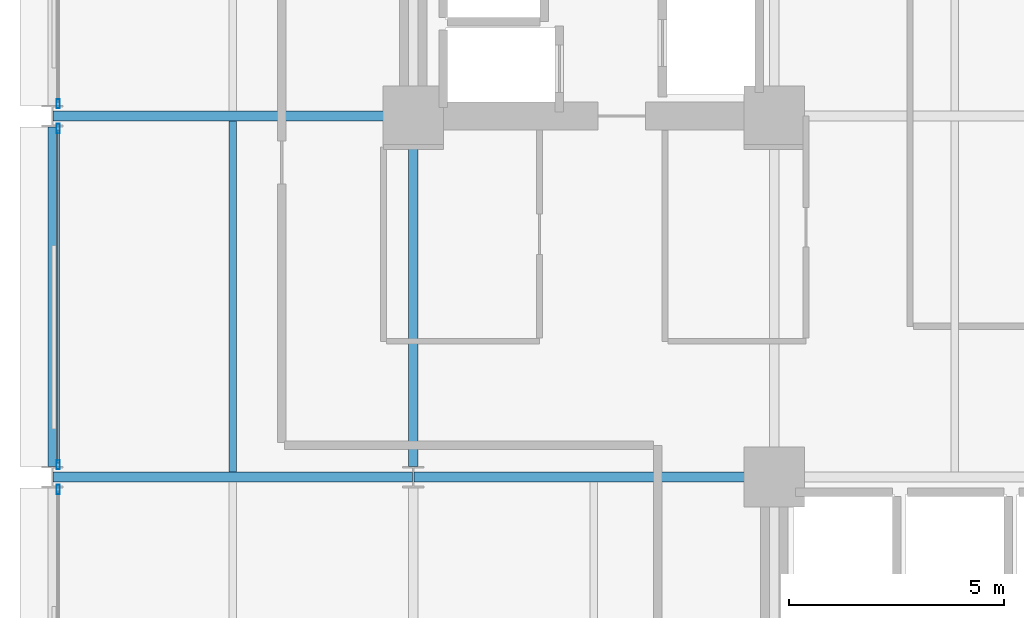
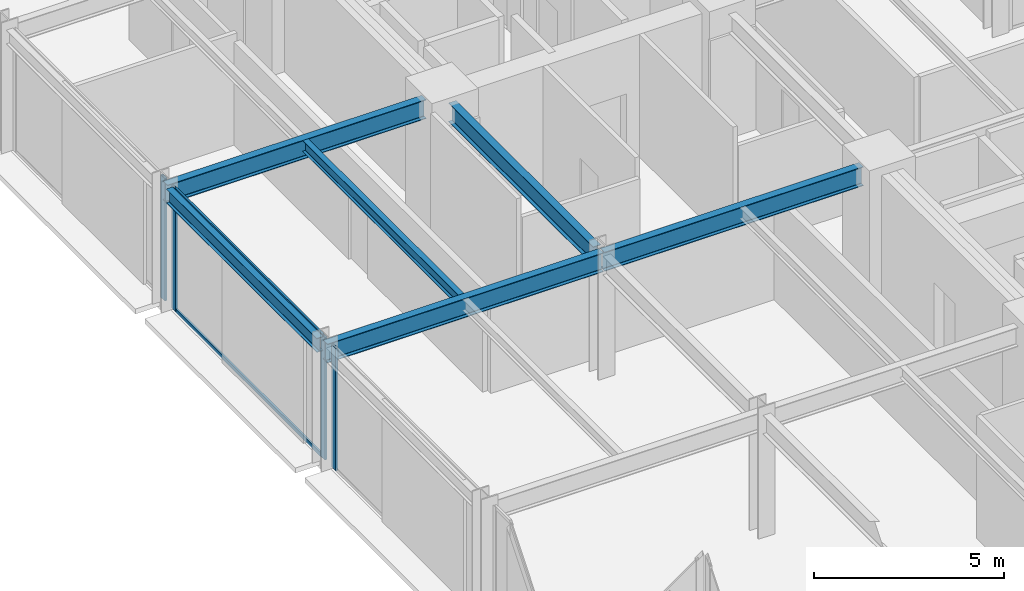
# One storey, part 6 of 25: 6 beams, 6 members, 3 elements without a shape of their own.
"""IFC4 building model written with IfcOpenShell, lengths in metres."""

from ifc_helpers import new_model, si_unit, direction, frame, origin, origin_2d, place, context, subcontext, project, spatial, hollow_rectangle, i_section, extrude, material, layer, layer_set, material_profile, profile_set, type_object, element, aggregate, save


model = new_model("IFC4")

# Units and contexts
model_context = context("Model", 3, precision=1e-05, world=origin(), true_north=direction((0.0, 1.0)))
body_context = subcontext(model_context, "Body", "Model", "MODEL_VIEW")
ifc_project = project(units=[si_unit("LENGTHUNIT", "METRE"), si_unit("AREAUNIT", "SQUARE_METRE"), si_unit("VOLUMEUNIT", "CUBIC_METRE"), si_unit("PLANEANGLEUNIT", "RADIAN"), si_unit("MASSUNIT", "GRAM", prefix="KILO")], contexts=[model_context])

# Site, building, storey
site_placement = place(None, origin())
site = spatial("IfcSite", under=ifc_project, at=site_placement, CompositionType="ELEMENT")
building_placement = place(site_placement, origin())
building = spatial("IfcBuilding", under=site, at=building_placement, Name="Nerrivon Quay Data Exchange", CompositionType="ELEMENT")
storey_placement = place(building_placement, frame((0.0, 0.0, 54.199951171875)))
storey = spatial("IfcBuildingStorey", under=building, at=storey_placement, Name="L12", CompositionType="ELEMENT", Elevation=54.199951171875)

# Beams
ifc_material_1 = material(Name="Steel Grade 350", Category="steel")
ifc_material_profile_1 = material_profile(ifc_material_1, i_section(OverallWidth=0.22900390625, OverallDepth=0.612060546875, WebThickness=0.011962890625, FlangeThickness=0.01953125, FilletRadius=0.013916015625, at=origin_2d()), Name="610UB125")
ifc_profile_set_1 = profile_set([ifc_material_profile_1], Name="Steel Grade 350")
beam_type_1 = type_object("IfcBeamType", Name="BM-G1-610UB125", PredefinedType="BEAM", material=ifc_profile_set_1)
beam_1_placement = place(storey_placement, frame((0.013916015625, 16.800048828125, 3.619140625), z_axis=(1.0, 0.0, 0.0), x_axis=(0.0, 1.0, 0.0)))
element("IfcBeam", 1, at=beam_1_placement, inside=storey, type_object=beam_type_1, Name="L12 EW Girder Y=16.8 (0.0..8.4)", PredefinedType="BEAM", context=body_context, shape_type="SweptSolid", body=[
    extrude(i_section(OverallWidth=0.22900390625, OverallDepth=0.612060546875, WebThickness=0.011962890625, FlangeThickness=0.01953125, FilletRadius=0.013916015625, at=origin_2d()), origin(), (0.0, 0.0, 1.0), 8.3720703125),
])
beam_2_placement = place(storey_placement, frame((8.4140625, 16.800048828125, 3.619140625), z_axis=(1.0, 0.0, 0.0), x_axis=(0.0, 1.0, 0.0)))
element("IfcBeam", 2, at=beam_2_placement, inside=storey, type_object=beam_type_1, Name="L12 EW Girder Y=16.8 (8.4..16.8)", PredefinedType="BEAM", context=body_context, shape_type="SweptSolid", body=[
    extrude(i_section(OverallWidth=0.22900390625, OverallDepth=0.612060546875, WebThickness=0.011962890625, FlangeThickness=0.01953125, FilletRadius=0.013916015625, at=origin_2d()), origin(), (0.0, 0.0, 1.0), 7.845947265625),
])
beam_3_placement = place(storey_placement, frame((0.013916015625, 25.199951171875, 3.619140625), z_axis=(1.0, 0.0, 0.0), x_axis=(0.0, 1.0, 0.0)))
element("IfcBeam", 3, at=beam_3_placement, inside=storey, type_object=beam_type_1, Name="L12 EW Girder Y=25.2 (0.0..8.4)", PredefinedType="BEAM", context=body_context, shape_type="SweptSolid", body=[
    extrude(i_section(OverallWidth=0.22900390625, OverallDepth=0.612060546875, WebThickness=0.011962890625, FlangeThickness=0.01953125, FilletRadius=0.013916015625, at=origin_2d()), origin(), (0.0, 0.0, 1.0), 7.84619140625),
])
ifc_material_profile_2 = material_profile(ifc_material_1, i_section(OverallWidth=0.22802734375, OverallDepth=0.60205078125, WebThickness=0.010498046875, FlangeThickness=0.014892578125, FilletRadius=0.013916015625, at=origin_2d()), Name="610UB101")
ifc_profile_set_2 = profile_set([ifc_material_profile_2], Name="Steel Grade 350")
beam_type_2 = type_object("IfcBeamType", Name="BM-G2-610UB101", PredefinedType="BEAM", material=ifc_profile_set_2)
beam_4_placement = place(storey_placement, frame((8.39990234375, 17.050048828125, 3.6240234375), z_axis=(0.0, 1.0, 0.0), x_axis=(-1.0, 0.0, 0.0)))
element("IfcBeam", 4, at=beam_4_placement, inside=storey, type_object=beam_type_2, Name="L12 NS Girder X=8.4 (16.8..25.2)", PredefinedType="BEAM", context=body_context, shape_type="SweptSolid", body=[
    extrude(i_section(OverallWidth=0.22802734375, OverallDepth=0.60205078125, WebThickness=0.010498046875, FlangeThickness=0.014892578125, FilletRadius=0.013916015625, at=origin_2d()), origin(), (0.0, 0.0, 1.0), 7.60986328125),
])
ifc_material_profile_3 = material_profile(ifc_material_1, i_section(OverallWidth=0.172119140625, OverallDepth=0.35888671875, WebThickness=0.008056640625, FlangeThickness=0.012939453125, FilletRadius=0.011474609375, at=origin_2d()), Name="360UB56.7")
ifc_profile_set_3 = profile_set([ifc_material_profile_3], Name="Steel Grade 350")
beam_type_3 = type_object("IfcBeamType", Name="BM-J3-360UB57", PredefinedType="JOIST", material=ifc_profile_set_3)
beam_5_placement = place(storey_placement, frame((4.199951171875, 16.91455078125, 3.74560546875), z_axis=(0.0, 1.0, 0.0), x_axis=(-1.0, 0.0, 0.0)))
element("IfcBeam", 5, at=beam_5_placement, inside=storey, type_object=beam_type_3, Name="L12 Secondary Joist X=4.2 (16.8..25.2)", PredefinedType="JOIST", context=body_context, shape_type="SweptSolid", body=[
    extrude(i_section(OverallWidth=0.172119140625, OverallDepth=0.35888671875, WebThickness=0.008056640625, FlangeThickness=0.012939453125, FilletRadius=0.011474609375, at=origin_2d()), origin(), (0.0, 0.0, 1.0), 8.1708984375),
])
ifc_material_profile_4 = material_profile(ifc_material_1, i_section(OverallWidth=0.18994140625, OverallDepth=0.4541015625, WebThickness=0.008544921875, FlangeThickness=0.0126953125, FilletRadius=0.011474609375, at=origin_2d()), Name="460UB67.1")
ifc_profile_set_4 = profile_set([ifc_material_profile_4], Name="Steel Grade 350")
beam_type_4 = type_object("IfcBeamType", Name="BM-SP1-460UB67", PredefinedType="SPANDREL", material=ifc_profile_set_4)
beam_6_placement = place(storey_placement, frame((0.0, 17.050048828125, 3.697998046875), z_axis=(0.0, 1.0, 0.0), x_axis=(-1.0, 0.0, 0.0)))
element("IfcBeam", 6, at=beam_6_placement, inside=storey, type_object=beam_type_4, Name="L12 NS Girder X=0.0 (16.8..25.2)", PredefinedType="SPANDREL", context=body_context, shape_type="SweptSolid", body=[
    extrude(i_section(OverallWidth=0.18994140625, OverallDepth=0.4541015625, WebThickness=0.008544921875, FlangeThickness=0.0126953125, FilletRadius=0.011474609375, at=origin_2d()), origin(), (0.0, 0.0, 1.0), 7.89990234375),
])

# Curtain wall, member
ifc_material_2 = material(Name="Anodised aluminium 6063-T6", Category="aluminium")
ifc_layer = layer(ifc_material_2, 0.219970703125)
ifc_layer_set = layer_set([ifc_layer], Name="Anodised aluminium 6063-T6")
curtain_wall_type = type_object("IfcCurtainWallType", Name="CW-SYS-01", PredefinedType="NOTDEFINED", material=ifc_layer_set)
curtain_wall_1_placement = place(storey_placement, origin())
curtain_wall_1 = element("IfcCurtainWall", 7, at=curtain_wall_1_placement, inside=storey, type_object=curtain_wall_type, Name="L12 Unitised Curtain Wall 14", PredefinedType="NOTDEFINED")
ifc_material_profile_5 = material_profile(ifc_material_2, hollow_rectangle(XDim=0.074951171875, YDim=0.219970703125, WallThickness=0.00390625, at=origin_2d()), Name="ALU-MULL-220x75")
ifc_profile_set_5 = profile_set([ifc_material_profile_5], Name="Anodised aluminium 6063-T6")
member_type_1 = type_object("IfcMemberType", Name="CWM-220x75", PredefinedType="MULLION", material=ifc_profile_set_5)
member_1_placement = place(storey_placement, frame((0.139892578125, 16.512451171875, 0.0), z_axis=(0.0, 0.0, 1.0), x_axis=(-1.0, 0.0, 0.0)))
member_1 = element("IfcMember", 8, at=member_1_placement, type_object=member_type_1, Name="CW01 mullion 2", PredefinedType="MULLION", context=body_context, shape_type="SweptSolid", body=[
    extrude(hollow_rectangle(XDim=0.074951171875, YDim=0.219970703125, WallThickness=0.00390625, at=origin_2d()), origin(), (0.0, 0.0, 1.0), 3.925048828125),
])
aggregate(curtain_wall_1, [member_1])

# Curtain wall, members
curtain_wall_2_placement = place(storey_placement, origin())
curtain_wall_2 = element("IfcCurtainWall", 9, at=curtain_wall_2_placement, inside=storey, type_object=curtain_wall_type, Name="L12 Unitised Curtain Wall 15", PredefinedType="NOTDEFINED")
member_2_placement = place(storey_placement, frame((0.139892578125, 17.08740234375, 0.0), z_axis=(0.0, 0.0, 1.0), x_axis=(-1.0, 0.0, 0.0)))
member_2 = element("IfcMember", 10, at=member_2_placement, type_object=member_type_1, Name="CW01 mullion 1", PredefinedType="MULLION", context=body_context, shape_type="SweptSolid", body=[
    extrude(hollow_rectangle(XDim=0.074951171875, YDim=0.219970703125, WallThickness=0.00390625, at=origin_2d()), origin(), (0.0, 0.0, 1.0), 3.925048828125),
])
member_3_placement = place(storey_placement, frame((0.139892578125, 24.91259765625, 0.0), z_axis=(0.0, 0.0, 1.0), x_axis=(-1.0, 0.0, 0.0)))
member_3 = element("IfcMember", 11, at=member_3_placement, type_object=member_type_1, Name="CW01 mullion 2", PredefinedType="MULLION", context=body_context, shape_type="SweptSolid", body=[
    extrude(hollow_rectangle(XDim=0.074951171875, YDim=0.219970703125, WallThickness=0.00390625, at=origin_2d()), origin(), (0.0, 0.0, 1.0), 3.925048828125),
])

# Curtain wall, member
curtain_wall_3_placement = place(storey_placement, origin())
curtain_wall_3 = element("IfcCurtainWall", 12, at=curtain_wall_3_placement, inside=storey, type_object=curtain_wall_type, Name="L12 Unitised Curtain Wall 16", PredefinedType="NOTDEFINED")
member_4_placement = place(storey_placement, frame((0.139892578125, 25.487548828125, 0.0), z_axis=(0.0, 0.0, 1.0), x_axis=(-1.0, 0.0, 0.0)))
member_4 = element("IfcMember", 13, at=member_4_placement, type_object=member_type_1, Name="CW01 mullion 1", PredefinedType="MULLION", context=body_context, shape_type="SweptSolid", body=[
    extrude(hollow_rectangle(XDim=0.074951171875, YDim=0.219970703125, WallThickness=0.00390625, at=origin_2d()), origin(), (0.0, 0.0, 1.0), 3.925048828125),
])
aggregate(curtain_wall_3, [member_4])

# Member
ifc_material_profile_6 = material_profile(ifc_material_2, hollow_rectangle(XDim=0.06005859375, YDim=0.1201171875, WallThickness=0.003173828125, at=origin_2d()), Name="ALU-TRAN-120x60")
ifc_profile_set_6 = profile_set([ifc_material_profile_6], Name="Anodised aluminium 6063-T6")
member_type_2 = type_object("IfcMemberType", Name="CWT-120x60", PredefinedType="USERDEFINED", material=ifc_profile_set_6)
member_5_placement = place(storey_placement, frame((0.139892578125, 17.125, 0.032470703125), z_axis=(0.0, 1.0, 0.0), x_axis=(-1.0, 0.0, 0.0)))
member_5 = element("IfcMember", 14, at=member_5_placement, type_object=member_type_2, Name="CW01 transom 1.1", ObjectType="TRANSOM", PredefinedType="USERDEFINED", context=body_context, shape_type="SweptSolid", body=[
    extrude(hollow_rectangle(XDim=0.06005859375, YDim=0.1201171875, WallThickness=0.003173828125, at=origin_2d()), origin(), (0.0, 0.0, 1.0), 7.75),
])

member_6_placement = place(storey_placement, frame((0.139892578125, 17.125, 3.892578125), z_axis=(0.0, 1.0, 0.0), x_axis=(-1.0, 0.0, 0.0)))
member_6 = element("IfcMember", 15, at=member_6_placement, type_object=member_type_2, Name="CW01 transom 1.2", ObjectType="TRANSOM", PredefinedType="USERDEFINED", context=body_context, shape_type="SweptSolid", body=[
    extrude(hollow_rectangle(XDim=0.06005859375, YDim=0.1201171875, WallThickness=0.003173828125, at=origin_2d()), origin(), (0.0, 0.0, 1.0), 7.75),
])

aggregate(curtain_wall_2, [member_2, member_3, member_5, member_6])

save(model, "model.ifc")
